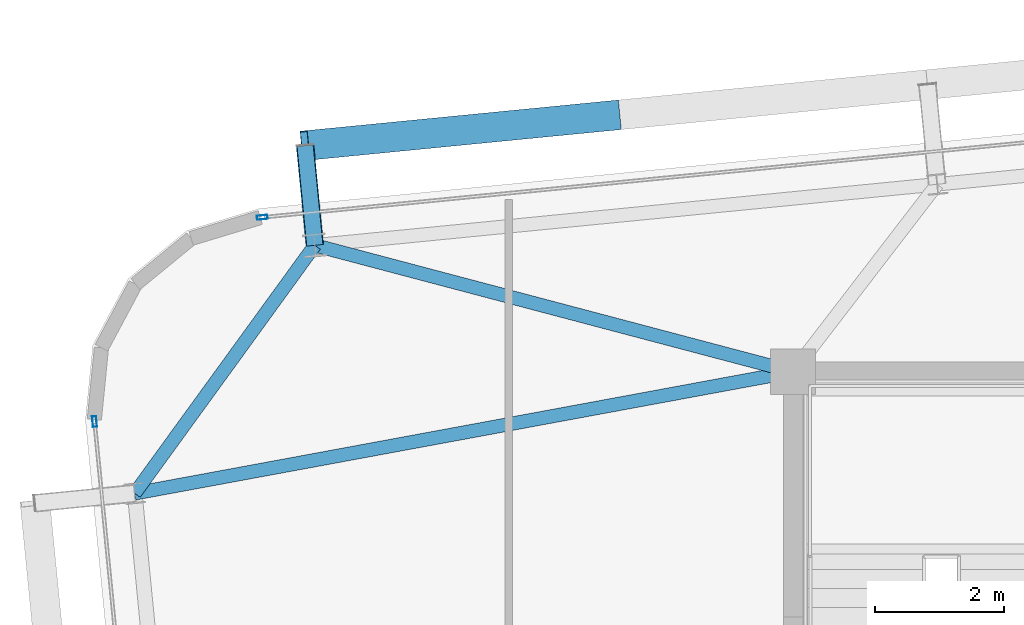
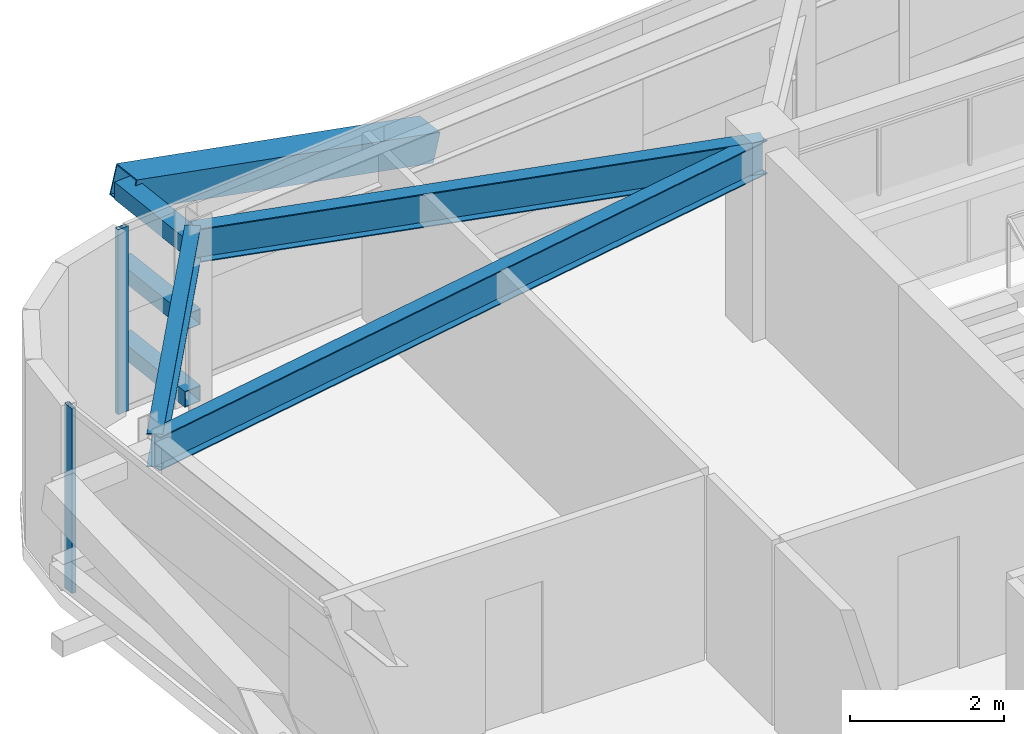
# One storey, part 24 of 47: 6 members, 3 beams, 2 elements without a shape of their own.
"""IFC4 building model written with IfcOpenShell, lengths in metres."""

from ifc_helpers import new_model, si_unit, direction, frame, origin, origin_2d, place, context, subcontext, project, spatial, hollow_rectangle, i_section, extrude, source, transform, mapped, material, layer, layer_set, material_profile, profile_set, type_object, element, aggregate, save


model = new_model("IFC4")

# Units and contexts
model_context = context("Model", 3, precision=1e-05, world=origin(), true_north=direction((0.0, 1.0)))
body_context = subcontext(model_context, "Body", "Model", "MODEL_VIEW")
ifc_project = project(units=[si_unit("LENGTHUNIT", "METRE"), si_unit("AREAUNIT", "SQUARE_METRE"), si_unit("VOLUMEUNIT", "CUBIC_METRE"), si_unit("PLANEANGLEUNIT", "RADIAN"), si_unit("MASSUNIT", "GRAM", prefix="KILO")], contexts=[model_context])

# Site, building, storey
site_placement = place(None, origin())
site = spatial("IfcSite", under=ifc_project, at=site_placement, CompositionType="ELEMENT")
building_placement = place(site_placement, origin())
building = spatial("IfcBuilding", under=site, at=building_placement, Name="Taldren Reach Tower", CompositionType="ELEMENT")
storey_placement = place(building_placement, frame((0.0, 0.0, 90.300048828125)))
storey = spatial("IfcBuildingStorey", under=building, at=storey_placement, Name="L27", CompositionType="ELEMENT", Elevation=90.300048828125)

# Beams
ifc_material_1 = material(Name="Steel Gr 350 (350PLUS)", Category="steel")
ifc_material_profile_1 = material_profile(ifc_material_1, i_section(OverallWidth=0.208984375, OverallDepth=0.528076171875, WebThickness=0.009521484375, FlangeThickness=0.01318359375, at=origin_2d()), Name="530UB82.0")
ifc_profile_set_1 = profile_set([ifc_material_profile_1], Name="Steel Gr 350 (350PLUS)")
beam_type_1 = type_object("IfcBeamType", Name="SP-UB530B", PredefinedType="SPANDREL", material=ifc_profile_set_1)
shared_shape_1 = source(origin(), body_context, "Body", "SweptSolid", [
    extrude(i_section(OverallWidth=0.208984375, OverallDepth=0.528076171875, WebThickness=0.009521484375, FlangeThickness=0.01318359375, at=origin_2d()), origin(), (0.0, 0.0, 1.0), 4.74609375),
])
beam_1_placement = place(storey_placement, frame((11.596923828125, 33.956787109375, 2.666015625), z_axis=(-0.587565912237, -0.809176308833, 0.0), x_axis=(0.809176308833, -0.587565912237, 0.0)))
element("IfcBeam", 1, at=beam_1_placement, inside=storey, type_object=beam_type_1, Name="Perimeter spandrel B2 N1-W3 L27", PredefinedType="SPANDREL", context=body_context, shape_type="MappedRepresentation", body=[
    mapped(shared_shape_1, transform((0.0, 0.0, 0.0), scale=1.0)),
])
ifc_material_profile_2 = material_profile(ifc_material_1, i_section(OverallWidth=0.208984375, OverallDepth=0.532958984375, WebThickness=0.01025390625, FlangeThickness=0.015625, at=origin_2d()), Name="530UB92.4")
ifc_profile_set_2 = profile_set([ifc_material_profile_2], Name="Steel Gr 350 (350PLUS)")
beam_type_2 = type_object("IfcBeamType", Name="BM-UB530A", PredefinedType="BEAM", material=ifc_profile_set_2)
shared_shape_2 = source(origin(), body_context, "Body", "SweptSolid", [
    extrude(i_section(OverallWidth=0.208984375, OverallDepth=0.532958984375, WebThickness=0.01025390625, FlangeThickness=0.015625, at=origin_2d()), origin(), (0.0, 0.0, 1.0), 7.6572265625),
])
beam_2_placement = place(storey_placement, frame((19.0, 32.0, 2.663330078125), z_axis=(-0.966797258245, 0.255544636904, 0.0), x_axis=(-0.255544636904, -0.966797258245, 0.0)))
element("IfcBeam", 2, at=beam_2_placement, inside=storey, type_object=beam_type_2, Name="Primary floor girder B2-N1 L27", PredefinedType="BEAM", context=body_context, shape_type="MappedRepresentation", body=[
    mapped(shared_shape_2, transform((0.0, 0.0, 0.0), scale=1.0)),
])
shared_shape_3 = source(origin(), body_context, "Body", "SweptSolid", [
    extrude(i_section(OverallWidth=0.208984375, OverallDepth=0.532958984375, WebThickness=0.01025390625, FlangeThickness=0.015625, at=origin_2d()), origin(), (0.0, 0.0, 1.0), 10.3642578125),
])
beam_3_placement = place(storey_placement, frame((19.0, 32.0, 2.663330078125), z_axis=(-0.983347548213, -0.181734970283, 0.0), x_axis=(0.181734970283, -0.983347548213, 0.0)))
element("IfcBeam", 3, at=beam_3_placement, inside=storey, type_object=beam_type_2, Name="Primary floor girder B2-W3 L27", PredefinedType="BEAM", context=body_context, shape_type="MappedRepresentation", body=[
    mapped(shared_shape_3, transform((0.0, 0.0, 0.0), scale=1.0)),
])

# Members
ifc_material_2 = material(Name="Steel Gr 450 (C450L0)", Category="steel")
ifc_material_profile_3 = material_profile(ifc_material_2, hollow_rectangle(XDim=0.27490234375, YDim=0.27490234375, WallThickness=0.00927734375, at=origin_2d()), Name="275x275x9.3SHS")
ifc_profile_set_3 = profile_set([ifc_material_profile_3], Name="Steel Gr 450 (C450L0)")
member_type_1 = type_object("IfcMemberType", Name="MB-TIE273", PredefinedType="STRUT", material=ifc_profile_set_3)
shared_shape_4 = source(origin(), body_context, "Body", "SweptSolid", [
    extrude(hollow_rectangle(XDim=0.27490234375, YDim=0.27490234375, WallThickness=0.00927734375, at=origin_2d()), origin(), (0.0, 0.0, 1.0), 1.550048828125),
])
member_1_placement = place(storey_placement, frame((11.596923828125, 33.956787109375, 2.64990234375), z_axis=(-0.097647892962, 0.9952210252, 0.0), x_axis=(-0.9952210252, -0.097647892962, 0.0)))
element("IfcMember", 4, at=member_1_placement, inside=storey, type_object=member_type_1, Name="Exoskeleton diaphragm tie strut B2-N1 L27", PredefinedType="STRUT", context=body_context, shape_type="MappedRepresentation", body=[
    mapped(shared_shape_4, transform((0.0, 0.0, 0.0), scale=1.0)),
])
ifc_material_profile_4 = material_profile(ifc_material_2, hollow_rectangle(XDim=0.4599609375, YDim=0.4599609375, WallThickness=0.01611328125, at=origin_2d()), Name="460x460x16.0SHS")
ifc_profile_set_4 = profile_set([ifc_material_profile_4], Name="Steel Gr 450 (C450L0)")
member_type_2 = type_object("IfcMemberType", Name="MB-EXO457", PredefinedType="BRACE", material=ifc_profile_set_4)
shared_shape_5 = source(origin(), body_context, "Body", "SweptSolid", [
    extrude(hollow_rectangle(XDim=0.4599609375, YDim=0.4599609375, WallThickness=0.01611328125, at=origin_2d()), origin(), (0.0, 0.0, 1.0), 4.990234375),
])
member_2_placement = place(storey_placement, frame((16.262451171875, 35.9716796875, 1.43505859375), z_axis=(-0.965287024526, -0.094620633828, 0.24344998652), x_axis=(0.097555749586, -0.995230061706, 0.0)))
element("IfcMember", 5, at=member_2_placement, inside=storey, type_object=member_type_2, Name="Exoskeleton Diagrid Brace B2-N1 L27", PredefinedType="BRACE", context=body_context, shape_type="MappedRepresentation", body=[
    mapped(shared_shape_5, transform((0.0, 0.0, 0.0), scale=1.0)),
])
ifc_material_3 = material(Name="Steel Gr 350 (C350L0)", Category="steel")
ifc_material_profile_5 = material_profile(ifc_material_3, hollow_rectangle(XDim=0.25, YDim=0.25, WallThickness=0.010009765625, at=origin_2d()), Name="250x250x10.0SHS")
ifc_profile_set_5 = profile_set([ifc_material_profile_5], Name="Steel Gr 350 (C350L0)")
member_type_3 = type_object("IfcMemberType", Name="MB-POST250", PredefinedType="POST", material=ifc_profile_set_5)
shared_shape_6 = source(origin(), body_context, "Body", "SweptSolid", [
    extrude(hollow_rectangle(XDim=0.25, YDim=0.25, WallThickness=0.010009765625, at=origin_2d()), origin(), (0.0, 0.0, 1.0), 1.550048828125),
])
for number, where, z_axis, x_axis, name in (
    (6, (11.596923828125, 33.956787109375, 0.219970703125), (-0.097647892962, 0.9952210252, 0.0), (-0.9952210252, -0.097647892962, 0.0), "Exoskeleton base diaphragm tie strut B2-N1 L27"),
    (7, (11.596923828125, 33.956787109375, 1.43505859375), (-0.097647892962, 0.9952210252, 0.0), (-0.9952210252, -0.097647892962, 0.0), "Exoskeleton mid-tier diaphragm tie B2-N1 L27"),
):
    element("IfcMember", number, at=place(storey_placement, frame(where, z_axis=z_axis, x_axis=x_axis)), inside=storey, type_object=member_type_3, Name=name, PredefinedType="POST", context=body_context, shape_type="MappedRepresentation", body=[
        mapped(shared_shape_6, transform((0.0, 0.0, 0.0), scale=1.0)),
    ])

# Curtain wall, member
ifc_material_4 = material(Name="Aluminium and Low-E Glass Unitised System", Category="aluminium")
ifc_layer = layer(ifc_material_4, 0.159912109375)
ifc_layer_set = layer_set([ifc_layer], Name="Aluminium and Low-E Glass Unitised System")
curtain_wall_type = type_object("IfcCurtainWallType", Name="CW-SYS-3", PredefinedType="NOTDEFINED", material=ifc_layer_set)
curtain_wall_1_placement = place(storey_placement, origin())
curtain_wall_1 = element("IfcCurtainWall", 8, at=curtain_wall_1_placement, inside=storey, type_object=curtain_wall_type, Name="Unitised curtain wall CW-L27-N", PredefinedType="NOTDEFINED")
ifc_material_5 = material(Name="Anodised Aluminium 6063-T6", Category="aluminium")
ifc_material_profile_6 = material_profile(ifc_material_5, hollow_rectangle(XDim=0.06494140625, YDim=0.1650390625, WallThickness=0.00390625, at=origin_2d()), Name="ALU-165x65x4RHS")
ifc_profile_set_6 = profile_set([ifc_material_profile_6], Name="Anodised Aluminium 6063-T6")
member_type_4 = type_object("IfcMemberType", Name="CW-MUL-165", PredefinedType="MULLION", material=ifc_profile_set_6)
shared_shape_7 = source(origin(), body_context, "Body", "SweptSolid", [
    extrude(hollow_rectangle(XDim=0.06494140625, YDim=0.1650390625, WallThickness=0.00390625, at=origin_2d()), origin(), (0.0, 0.0, 1.0), 2.929931640625),
])
member_3_placement = place(storey_placement, frame((10.783203125, 34.3896484375, 0.0), z_axis=(0.0, 0.0, 1.0), x_axis=(0.097582999046, -0.995227390247, 0.0)))
member_3 = element("IfcMember", 9, at=member_3_placement, type_object=member_type_4, Name="CW-3 mullion 5", PredefinedType="MULLION", context=body_context, shape_type="MappedRepresentation", body=[
    mapped(shared_shape_7, transform((0.0, 0.0, 0.0), scale=1.0)),
])
aggregate(curtain_wall_1, [member_3])

curtain_wall_2_placement = place(storey_placement, origin())
curtain_wall_2 = element("IfcCurtainWall", 10, at=curtain_wall_2_placement, inside=storey, type_object=curtain_wall_type, Name="Unitised curtain wall CW-L27-W", PredefinedType="NOTDEFINED")
member_4_placement = place(storey_placement, frame((8.186767578125, 31.228515625, 0.0), z_axis=(0.0, 0.0, 1.0), x_axis=(0.99522741555, 0.09758274098, 0.0)))
member_4 = element("IfcMember", 11, at=member_4_placement, type_object=member_type_4, Name="CW-3 mullion 1", PredefinedType="MULLION", context=body_context, shape_type="MappedRepresentation", body=[
    mapped(shared_shape_7, transform((0.0, 0.0, 0.0), scale=1.0)),
])
aggregate(curtain_wall_2, [member_4])

save(model, "model.ifc")
